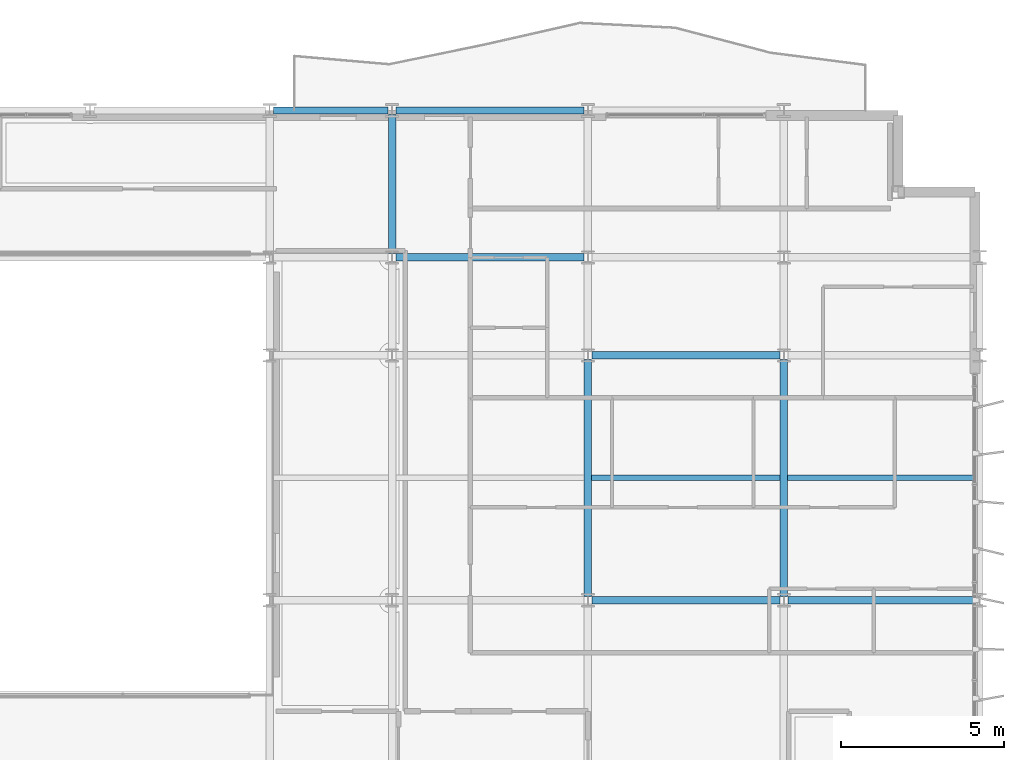
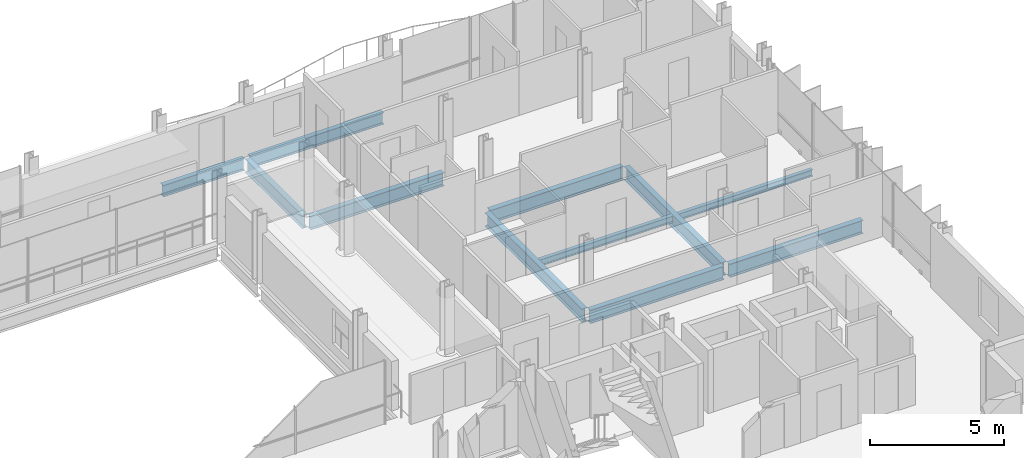
# One storey, part 20 of 40: 11 beams.
"""IFC4 building model written with IfcOpenShell, lengths in metres."""

import ifcopenshell
import ifcopenshell.guid

model = None  # the IFC model being written
_history = None  # IfcOwnerHistory: only IFC2X3 demands one
_inside = {}  # id of a spatial element -> (the spatial element, [elements in it])
_under = {}  # id of a project, library or spatial element -> (it, [spatial elements below it])
_declared = {}  # id of a project -> (the project, [libraries it declares])
_typed = {}  # id of a type object -> (the type object, [elements of that type])
_made_of = {}  # id of a material, layer set ... -> (it, [elements and type objects made of it])


def new_model(schema):
    """Start an empty IFC model of exactly this schema.

    Asked for "IFC4X3", IfcOpenShell would pick the latest addendum, in which some entities
    have other attributes; the version numbers below select the first issue.
    IFC2X3 requires an IfcOwnerHistory on every rooted entity: one is made here for all.
    """
    global model, _history
    if schema == "IFC4X3":
        model = ifcopenshell.file(schema_version=(4, 3, 0, 0))
    else:
        model = ifcopenshell.file(schema=schema)
    _inside.clear()
    _under.clear()
    _declared.clear()
    _typed.clear()
    _made_of.clear()
    _history = None
    if model.schema == "IFC2X3":
        org = make("IfcOrganization", Name="unknown")
        user = make(
            "IfcPersonAndOrganization",
            ThePerson=make("IfcPerson", FamilyName="unknown"),
            TheOrganization=org,
        )
        app = make(
            "IfcApplication",
            ApplicationDeveloper=org,
            Version="unknown",
            ApplicationFullName="unknown",
            ApplicationIdentifier="unknown",
        )
        _history = make(
            "IfcOwnerHistory",
            OwningUser=user,
            OwningApplication=app,
            ChangeAction="ADDED",
            CreationDate=0,
        )
    return model


def make(cls, **values):
    """One entity of the class cls with the attributes given. An attribute that is None is left unset."""
    return model.create_entity(
        cls, **{name: value for name, value in values.items() if value is not None}
    )


def rooted(cls, **values):
    """An entity with a GlobalId (a new one), such as an element, a storey or a relation."""
    return make(cls, GlobalId=ifcopenshell.guid.new(), OwnerHistory=_history, **values)


def si_unit(unit_type, name, prefix=None):
    """IfcSIUnit, for example si_unit("LENGTHUNIT", "METRE", prefix="MILLI")."""
    return make("IfcSIUnit", UnitType=unit_type, Prefix=prefix, Name=name)


def assignment(units):
    """IfcUnitAssignment: the units of a project."""
    return None if units is None else make("IfcUnitAssignment", Units=units)


def point(xyz):
    """IfcCartesianPoint."""
    return None if xyz is None else make("IfcCartesianPoint", Coordinates=xyz)


def direction(xyz):
    """IfcDirection."""
    return None if xyz is None else make("IfcDirection", DirectionRatios=xyz)


def frame(location, z_axis=None, x_axis=None):
    """IfcAxis2Placement3D, a coordinate frame: its origin and axes. An axis left out is left unset."""
    return make(
        "IfcAxis2Placement3D",
        Location=point(location),
        Axis=direction(z_axis),
        RefDirection=direction(x_axis),
    )


def frame_2d(location, x_axis=None):
    """IfcAxis2Placement2D, a coordinate frame in the plane: its origin and x axis."""
    return make(
        "IfcAxis2Placement2D", Location=point(location), RefDirection=direction(x_axis)
    )


def origin():
    """The frame at (0, 0, 0) with its axes left unset."""
    return frame((0.0, 0.0, 0.0))


def origin_2d():
    """The frame at (0, 0) in the plane with its x axis left unset."""
    return frame_2d((0.0, 0.0))


def place(relative_to, where):
    """IfcLocalPlacement: puts the frame where relative to a parent placement (None: the world)."""
    return make(
        "IfcLocalPlacement", PlacementRelTo=relative_to, RelativePlacement=where
    )


def context(
    kind, dimensions, precision=None, world=None, true_north=None, identifier=None
):
    """IfcGeometricRepresentationContext, for example the 3D "Model" context."""
    return make(
        "IfcGeometricRepresentationContext",
        ContextIdentifier=identifier,
        ContextType=kind,
        CoordinateSpaceDimension=dimensions,
        Precision=precision,
        WorldCoordinateSystem=world,
        TrueNorth=true_north,
    )


def subcontext(parent, identifier, kind, view, scale=None):
    """IfcGeometricRepresentationSubContext, for example "Body" below "Model"."""
    return make(
        "IfcGeometricRepresentationSubContext",
        ContextIdentifier=identifier,
        ContextType=kind,
        ParentContext=parent,
        TargetScale=scale,
        TargetView=view,
    )


def project(units=None, contexts=None):
    """IfcProject with its units and contexts."""
    return rooted(
        "IfcProject",
        Name="project",
        RepresentationContexts=contexts,
        UnitsInContext=assignment(units),
    )


def spatial(cls, under=None, at=None, **own):
    """A site, building, storey or space (cls), placed at a placement, below another one or the project."""
    s = rooted(cls, ObjectPlacement=at, **own)
    if under is not None:
        _under.setdefault(under.id(), (under, []))[1].append(s)
    return s


def profile(cls, at=None, kind="AREA", **sizes):
    """A parametric profile (cls). Its sizes go by their IFC names, for example OverallWidth=200.0."""
    return make(cls, ProfileType=kind, Position=at, **sizes)


def i_section(**sizes):
    """IfcIShapeProfileDef."""
    return profile("IfcIShapeProfileDef", **sizes)


def extrude(swept, where, along, depth):
    """IfcExtrudedAreaSolid: the profile swept, set in the frame where, extruded along a direction by depth."""
    return make(
        "IfcExtrudedAreaSolid",
        SweptArea=swept,
        Position=where,
        ExtrudedDirection=direction(along),
        Depth=depth,
    )


def shape(context_of_items, identifier, shape_type, items):
    """IfcShapeRepresentation: the items that make up one representation, for example the "Body"."""
    return make(
        "IfcShapeRepresentation",
        ContextOfItems=context_of_items,
        RepresentationIdentifier=identifier,
        RepresentationType=shape_type,
        Items=items,
    )


def material(Name=None, Category=None):
    """IfcMaterial."""
    return make("IfcMaterial", Name=Name, Category=Category)


def material_profile(
    of_material, cross_section, Name=None, Category=None, Priority=None
):
    """IfcMaterialProfile: a cross section and its material."""
    return make(
        "IfcMaterialProfile",
        Name=Name,
        Material=of_material,
        Profile=cross_section,
        Priority=Priority,
        Category=Category,
    )


def profile_set(profiles, Name=None, composite=None):
    """IfcMaterialProfileSet."""
    return make(
        "IfcMaterialProfileSet",
        Name=Name,
        MaterialProfiles=profiles,
        CompositeProfile=composite,
    )


def made_of(thing, what):
    """Note that an element or type object is made of a material, layer set ...; save() writes the relation."""
    if what is not None:
        _made_of.setdefault(what.id(), (what, []))[1].append(thing)
    return thing


def type_object(cls, material=None, **own):
    """A type object (cls), such as IfcWallType, which elements share."""
    return made_of(rooted(cls, **own), material)


def element(
    cls,
    number,
    at=None,
    inside=None,
    cuts=None,
    type_object=None,
    material=None,
    context=None,
    identifier="Body",
    shape_type=None,
    held_by="IfcProductDefinitionShape",
    body=None,
    shapes=None,
    **own,
):
    """One element of the class cls, such as IfcWall. Its Tag is "e" and its number.

    at: its placement. inside: the storey or other place that contains it. cuts: it is an
    opening in that element (IfcRelVoidsElement). A single representation is given by context,
    identifier, shape_type and body (its items); several are given by shapes. held_by: the class
    of the entity that holds the representations. save() writes the other relations.
    """
    e = rooted(cls, Tag="e%d" % number, ObjectPlacement=at, **own)
    if body is not None:
        shapes = [shape(context, identifier, shape_type, body)]
    if shapes is not None:
        e.Representation = make(held_by, Representations=shapes)
    if inside is not None:
        _inside.setdefault(inside.id(), (inside, []))[1].append(e)
    if cuts is not None:
        rooted(
            "IfcRelVoidsElement", RelatingBuildingElement=cuts, RelatedOpeningElement=e
        )
    if type_object is not None:
        _typed.setdefault(type_object.id(), (type_object, []))[1].append(e)
    return made_of(e, material)


def aggregate(whole, parts):
    """IfcRelAggregates: a whole, such as a stair, and the parts it consists of."""
    return rooted("IfcRelAggregates", RelatingObject=whole, RelatedObjects=parts)


def save(model, path):
    """Write the relations noted so far, then the file.

    IfcRelAggregates (storeys below a building ...), IfcRelContainedInSpatialStructure (elements
    in a storey), IfcRelDefinesByType, IfcRelAssociatesMaterial and IfcRelDeclares: one each for
    every whole, place, type object, material and project.
    """
    for whole, parts in _under.values():
        aggregate(whole, parts)
    for where, things in _inside.values():
        rooted(
            "IfcRelContainedInSpatialStructure",
            RelatedElements=things,
            RelatingStructure=where,
        )
    for kind, things in _typed.values():
        rooted("IfcRelDefinesByType", RelatedObjects=things, RelatingType=kind)
    for what, things in _made_of.values():
        rooted("IfcRelAssociatesMaterial", RelatedObjects=things, RelatingMaterial=what)
    for by, libraries in _declared.values():
        rooted("IfcRelDeclares", RelatingContext=by, RelatedDefinitions=libraries)
    model.write(path)


model = new_model("IFC4")

# Units and contexts
model_context = context("Model", 3, precision=1e-05, world=origin(), true_north=direction((0.0, 1.0)))
body_context = subcontext(model_context, "Body", "Model", "MODEL_VIEW")
ifc_project = project(units=[si_unit("LENGTHUNIT", "METRE"), si_unit("AREAUNIT", "SQUARE_METRE"), si_unit("VOLUMEUNIT", "CUBIC_METRE"), si_unit("PLANEANGLEUNIT", "RADIAN"), si_unit("MASSUNIT", "GRAM", prefix="KILO")], contexts=[model_context])

# Site, building, storey
site_placement = place(None, origin())
site = spatial("IfcSite", under=ifc_project, at=site_placement, CompositionType="ELEMENT")
building_placement = place(site_placement, origin())
building = spatial("IfcBuilding", under=site, at=building_placement, Name="Brevholm Reach", CompositionType="ELEMENT")
storey_placement = place(building_placement, frame((0.0, 0.0, 160.39990234375)))
storey = spatial("IfcBuildingStorey", under=building, at=storey_placement, Name="L48", CompositionType="ELEMENT", Elevation=160.39990234375)

# Beams
ifc_material_1 = material(Name="Structural Steel S355J2", Category="steel")
ifc_material_profile_1 = material_profile(ifc_material_1, i_section(OverallWidth=0.1650390625, OverallDepth=0.303466796875, WebThickness=0.006103515625, FlangeThickness=0.01025390625, FilletRadius=0.0087890625, at=origin_2d()), Name="UKB 305x165x40")
ifc_profile_set_1 = profile_set([ifc_material_profile_1], Name="Structural Steel S355J2")
beam_type_1 = type_object("IfcBeamType", Name="BM-B305", PredefinedType="BEAM", material=ifc_profile_set_1)
beam_1_placement = place(storey_placement, frame((48.114501953125, 19.75, -0.37158203125), z_axis=(1.0, 0.0, 0.0), x_axis=(0.0, 1.0, 0.0)))
element("IfcBeam", 1, at=beam_1_placement, inside=storey, type_object=beam_type_1, Name="L48 Composite Secondary Floor Beam", PredefinedType="BEAM", context=body_context, shape_type="SweptSolid", body=[
    extrude(i_section(OverallWidth=0.1650390625, OverallDepth=0.303466796875, WebThickness=0.006103515625, FlangeThickness=0.01025390625, FilletRadius=0.0087890625, at=origin_2d()), origin(), (0.0, 0.0, 1.0), 5.77099609375),
])
beam_2_placement = place(storey_placement, frame((54.114501953125, 19.75, -0.37158203125), z_axis=(1.0, 0.0, 0.0), x_axis=(0.0, 1.0, 0.0)))
element("IfcBeam", 2, at=beam_2_placement, inside=storey, type_object=beam_type_1, Name="L48 Composite Secondary Floor Beam", PredefinedType="BEAM", context=body_context, shape_type="SweptSolid", body=[
    extrude(i_section(OverallWidth=0.1650390625, OverallDepth=0.303466796875, WebThickness=0.006103515625, FlangeThickness=0.01025390625, FilletRadius=0.0087890625, at=origin_2d()), origin(), (0.0, 0.0, 1.0), 5.78076171875),
])
ifc_material_2 = material(Name="Structural Steel S355J2", Category="steel")
ifc_material_profile_2 = material_profile(ifc_material_2, i_section(OverallWidth=0.209228515625, OverallDepth=0.533203125, WebThickness=0.010009765625, FlangeThickness=0.015625, FilletRadius=0.0126953125, at=origin_2d()), Name="UKB 533x210x92")
ifc_profile_set_2 = profile_set([ifc_material_profile_2], Name="Structural Steel S355J2")
beam_type_2 = type_object("IfcBeamType", Name="BM-SP533", PredefinedType="SPANDREL", material=ifc_profile_set_2)
beam_3_placement = place(storey_placement, frame((38.3701171875, 31.0, -0.486572265625), z_axis=(1.0, 0.0, 0.0), x_axis=(0.0, 1.0, 0.0)))
element("IfcBeam", 3, at=beam_3_placement, inside=storey, type_object=beam_type_2, Name="L48 SP-02 Framing Beam", PredefinedType="SPANDREL", context=body_context, shape_type="SweptSolid", body=[
    extrude(i_section(OverallWidth=0.209228515625, OverallDepth=0.533203125, WebThickness=0.010009765625, FlangeThickness=0.015625, FilletRadius=0.0126953125, at=origin_2d()), origin(), (0.0, 0.0, 1.0), 3.509765625),
])
beam_4_placement = place(storey_placement, frame((42.1201171875, 31.0, -0.486572265625), z_axis=(1.0, 0.0, 0.0), x_axis=(0.0, 1.0, 0.0)))
element("IfcBeam", 4, at=beam_4_placement, inside=storey, type_object=beam_type_2, Name="L48 SP-02 Framing Beam", PredefinedType="SPANDREL", context=body_context, shape_type="SweptSolid", body=[
    extrude(i_section(OverallWidth=0.209228515625, OverallDepth=0.533203125, WebThickness=0.010009765625, FlangeThickness=0.015625, FilletRadius=0.0126953125, at=origin_2d()), origin(), (0.0, 0.0, 1.0), 5.759765625),
])
ifc_material_3 = material(Name="Structural Steel S355J2", Category="steel")
ifc_material_profile_3 = material_profile(ifc_material_3, i_section(OverallWidth=0.22900390625, OverallDepth=0.6123046875, WebThickness=0.011962890625, FlangeThickness=0.01953125, FilletRadius=0.0126953125, at=origin_2d()), Name="UKB 610x229x125")
ifc_profile_set_3 = profile_set([ifc_material_profile_3], Name="Structural Steel S355J2")
beam_type_3 = type_object("IfcBeamType", Name="BM-SP610", PredefinedType="SPANDREL", material=ifc_profile_set_3)
for number, where, z_axis, x_axis, name in (
    (5, (48.1201171875, 16.0, -0.526123046875), (1.0, 0.0, 0.0), (0.0, 1.0, 0.0), "L48 SP-01 Framing Beam"),
    (6, (54.1201171875, 16.0, -0.526123046875), (1.0, 0.0, 0.0), (0.0, 1.0, 0.0), "L48 SP-01 Framing Beam"),
    (7, (48.1201171875, 23.5, -0.526123046875), (1.0, 0.0, 0.0), (0.0, 1.0, 0.0), "L48 SP-01 Framing Beam"),
    (8, (42.1201171875, 26.5, -0.526123046875), (1.0, 0.0, 0.0), (0.0, 1.0, 0.0), "L48 SP-01 Framing Beam"),
):
    element("IfcBeam", number, at=place(storey_placement, frame(where, z_axis=z_axis, x_axis=x_axis)), inside=storey, type_object=beam_type_3, Name=name, PredefinedType="SPANDREL", context=body_context, shape_type="SweptSolid", body=[
        extrude(i_section(OverallWidth=0.22900390625, OverallDepth=0.6123046875, WebThickness=0.011962890625, FlangeThickness=0.01953125, FilletRadius=0.0126953125, at=origin_2d()), origin(), (0.0, 0.0, 1.0), 5.759765625),
    ])
beam_5_placement = place(storey_placement, frame((42.0, 26.6201171875, -0.526123046875), z_axis=(0.0, 1.0, 0.0), x_axis=(-1.0, 0.0, 0.0)))
element("IfcBeam", 9, at=beam_5_placement, inside=storey, type_object=beam_type_3, Name="L48 SP-01 Framing Beam", PredefinedType="SPANDREL", context=body_context, shape_type="SweptSolid", body=[
    extrude(i_section(OverallWidth=0.22900390625, OverallDepth=0.6123046875, WebThickness=0.011962890625, FlangeThickness=0.01953125, FilletRadius=0.0126953125, at=origin_2d()), origin(), (0.0, 0.0, 1.0), 4.259765625),
])
for number, where, z_axis, x_axis, name in (
    (10, (48.0, 16.1201171875, -0.526123046875), (0.0, 1.0, 0.0), (-1.0, 0.0, 0.0), "L48 SP-01 Framing Beam"),
    (11, (54.0, 16.1201171875, -0.526123046875), (0.0, 1.0, 0.0), (-1.0, 0.0, 0.0), "L48 SP-01 Framing Beam"),
):
    element("IfcBeam", number, at=place(storey_placement, frame(where, z_axis=z_axis, x_axis=x_axis)), inside=storey, type_object=beam_type_3, Name=name, PredefinedType="SPANDREL", context=body_context, shape_type="SweptSolid", body=[
        extrude(i_section(OverallWidth=0.22900390625, OverallDepth=0.6123046875, WebThickness=0.011962890625, FlangeThickness=0.01953125, FilletRadius=0.0126953125, at=origin_2d()), origin(), (0.0, 0.0, 1.0), 7.259765625),
    ])

save(model, "model.ifc")
